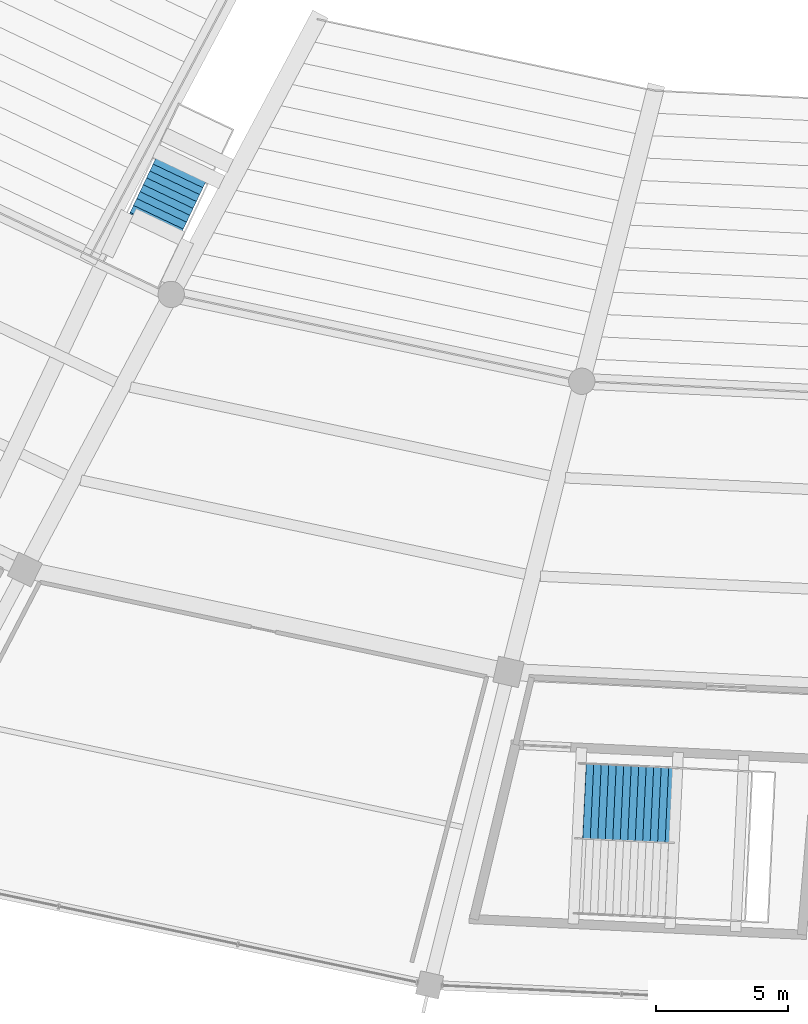
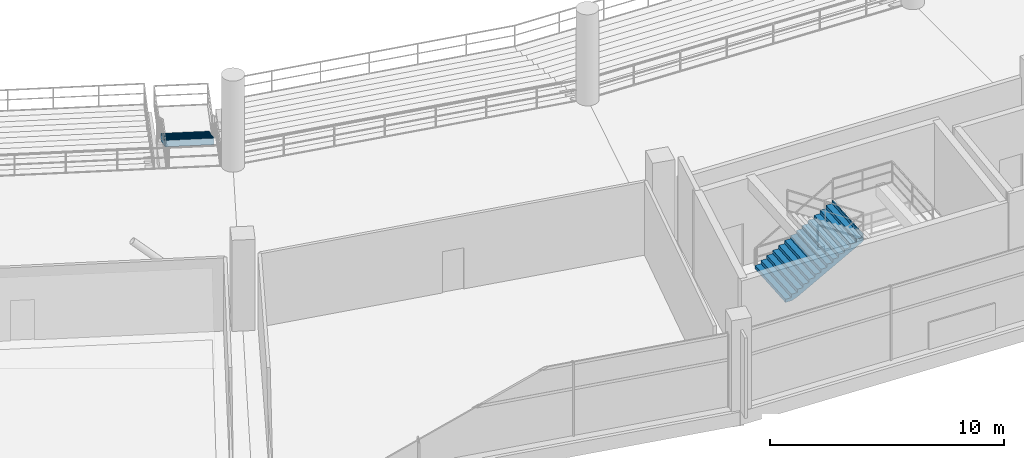
# One storey, part 121 of 156: 2 stair flights, 2 elements without a shape of their own.
"""IFC4 building model written with IfcOpenShell, lengths in metres."""

from ifc_helpers import new_model, si_unit, direction, frame, origin, place, context, subcontext, project, spatial, polygons, material, type_object, element, aggregate, save


model = new_model("IFC4")

# Units and contexts
model_context = context("Model", 3, precision=1e-05, world=origin(), true_north=direction((0.0, 1.0)))
body_context = subcontext(model_context, "Body", "Model", "MODEL_VIEW")
ifc_project = project(units=[si_unit("LENGTHUNIT", "METRE"), si_unit("AREAUNIT", "SQUARE_METRE"), si_unit("VOLUMEUNIT", "CUBIC_METRE"), si_unit("PLANEANGLEUNIT", "RADIAN"), si_unit("MASSUNIT", "GRAM", prefix="KILO")], contexts=[model_context])

# Site, building, storey
site_placement = place(None, origin())
site = spatial("IfcSite", under=ifc_project, at=site_placement, CompositionType="ELEMENT")
building_placement = place(site_placement, origin())
building = spatial("IfcBuilding", under=site, at=building_placement, Name="Kazemori Nagisa Stadium", CompositionType="ELEMENT")
storey_placement = place(building_placement, frame((0.0, 0.0, 5.780029296875)))
storey = spatial("IfcBuildingStorey", under=building, at=storey_placement, Name="L01", CompositionType="ELEMENT", Elevation=5.780029296875)

# Stair, stair flight
ifc_material = material(Name="Concrete C36/45 (Fc36)", Category="concrete")
stair_type_1 = type_object("IfcStairType", Name="Stair_CORE_28", PredefinedType="TWO_STRAIGHT_RUN_STAIR", material=ifc_material)
stair_1_placement = place(storey_placement, origin())
stair_1 = element("IfcStair", 1, at=stair_1_placement, inside=storey, type_object=stair_type_1, Name="Exit stair ST12 L01", PredefinedType="TWO_STRAIGHT_RUN_STAIR")
stair_flight_type_1 = type_object("IfcStairFlightType", Name="Flight_CORE_14", PredefinedType="STRAIGHT", material=ifc_material)
stair_flight_1_placement = place(storey_placement, frame((107.177490234375, 24.015380859375, 0.0), z_axis=(0.0, 0.0, 1.0), x_axis=(0.998883292929, -0.047245815755, 0.0)))
stair_flight_1 = element("IfcStairFlight", 2, at=stair_flight_1_placement, type_object=stair_flight_type_1, Name="Exit stair ST12 L01 flight 1", NumberOfRisers=14, NumberOfTreads=13, PredefinedType="STRAIGHT", RiserHeight=0.17, TreadLength=0.285, context=body_context, shape_type="Tessellation", body=[
    polygons([(0.0, -1.425048828125, 0.0), (0.0, -1.425048828125, 0.169921875), (0.284912109375, -1.425048828125, 0.169921875), (0.284912109375, -1.425048828125, 0.340087890625), (0.570068359375, -1.425048828125, 0.340087890625), (0.570068359375, -1.425048828125, 0.510009765625), (0.85498046875, -1.425048828125, 0.510009765625), (0.85498046875, -1.425048828125, 0.679931640625), (1.139892578125, -1.425048828125, 0.679931640625), (1.139892578125, -1.425048828125, 0.85009765625), (1.425048828125, -1.425048828125, 0.85009765625), (1.425048828125, -1.425048828125, 1.02001953125), (1.7099609375, -1.425048828125, 1.02001953125), (1.7099609375, -1.425048828125, 1.18994140625), (1.9951171875, -1.425048828125, 1.18994140625), (1.9951171875, -1.425048828125, 1.360107421875), (2.280029296875, -1.425048828125, 1.360107421875), (2.280029296875, -1.425048828125, 1.530029296875), (2.56494140625, -1.425048828125, 1.530029296875), (2.56494140625, -1.425048828125, 1.699951171875), (2.85009765625, -1.425048828125, 1.699951171875), (2.85009765625, -1.425048828125, 1.8701171875), (3.135009765625, -1.425048828125, 1.8701171875), (3.135009765625, -1.425048828125, 2.0400390625), (3.419921875, -1.425048828125, 2.0400390625), (3.419921875, -1.425048828125, 2.2099609375), (3.705078125, -1.425048828125, 2.2099609375), (3.705078125, -1.425048828125, 2.3798828125), (3.7548828125, -1.425048828125, 2.3798828125), (3.7548828125, -1.425048828125, 2.007080078125), (3.705078125, -1.425048828125, 1.977294921875), (3.419921875, -1.425048828125, 1.80712890625), (3.135009765625, -1.425048828125, 1.63720703125), (2.85009765625, -1.425048828125, 1.46728515625), (2.56494140625, -1.425048828125, 1.297119140625), (2.280029296875, -1.425048828125, 1.127197265625), (1.9951171875, -1.425048828125, 0.957275390625), (1.7099609375, -1.425048828125, 0.787109375), (1.425048828125, -1.425048828125, 0.6171875), (1.139892578125, -1.425048828125, 0.447265625), (0.85498046875, -1.425048828125, 0.277099609375), (0.570068359375, -1.425048828125, 0.107177734375), (0.284912109375, -1.425048828125, 0.0), (0.0, -0.08544921875, 0.0), (0.0, -0.08544921875, 0.169921875), (0.284912109375, -0.08544921875, 0.169921875), (0.284912109375, -0.08544921875, 0.340087890625), (0.570068359375, -0.08544921875, 0.340087890625), (0.570068359375, -0.08544921875, 0.510009765625), (0.85498046875, -0.08544921875, 0.510009765625), (0.85498046875, -0.08544921875, 0.679931640625), (1.139892578125, -0.08544921875, 0.679931640625), (1.139892578125, -0.08544921875, 0.85009765625), (1.425048828125, -0.08544921875, 0.85009765625), (1.425048828125, -0.08544921875, 1.02001953125), (1.7099609375, -0.08544921875, 1.02001953125), (1.7099609375, -0.08544921875, 1.18994140625), (1.9951171875, -0.08544921875, 1.18994140625), (1.9951171875, -0.08544921875, 1.360107421875), (2.280029296875, -0.08544921875, 1.360107421875), (2.280029296875, -0.08544921875, 1.530029296875), (2.56494140625, -0.08544921875, 1.530029296875), (2.56494140625, -0.08544921875, 1.699951171875), (2.85009765625, -0.08544921875, 1.699951171875), (2.85009765625, -0.08544921875, 1.8701171875), (3.135009765625, -0.08544921875, 1.8701171875), (3.135009765625, -0.08544921875, 2.0400390625), (3.419921875, -0.08544921875, 2.0400390625), (3.419921875, -0.08544921875, 2.2099609375), (3.705078125, -0.08544921875, 2.2099609375), (3.705078125, -0.08544921875, 2.3798828125), (3.7548828125, -0.08544921875, 2.3798828125), (3.7548828125, -0.08544921875, 2.007080078125), (3.705078125, -0.08544921875, 1.977294921875), (3.419921875, -0.08544921875, 1.80712890625), (3.135009765625, -0.08544921875, 1.63720703125), (2.85009765625, -0.08544921875, 1.46728515625), (2.56494140625, -0.08544921875, 1.297119140625), (2.280029296875, -0.08544921875, 1.127197265625), (1.9951171875, -0.08544921875, 0.957275390625), (1.7099609375, -0.08544921875, 0.787109375), (1.425048828125, -0.08544921875, 0.6171875), (1.139892578125, -0.08544921875, 0.447265625), (0.85498046875, -0.08544921875, 0.277099609375), (0.570068359375, -0.08544921875, 0.107177734375), (0.284912109375, -0.08544921875, 0.0), (0.0, 0.0, 0.0), (0.0, 0.0, 0.169921875), (0.284912109375, 0.0, 0.169921875), (0.284912109375, 0.0, 0.340087890625), (0.570068359375, 0.0, 0.340087890625), (0.570068359375, 0.0, 0.510009765625), (0.85498046875, 0.0, 0.510009765625), (0.85498046875, 0.0, 0.679931640625), (1.139892578125, 0.0, 0.679931640625), (1.139892578125, 0.0, 0.85009765625), (1.425048828125, 0.0, 0.85009765625), (1.425048828125, 0.0, 1.02001953125), (1.7099609375, 0.0, 1.02001953125), (1.7099609375, 0.0, 1.18994140625), (1.9951171875, 0.0, 1.18994140625), (1.9951171875, 0.0, 1.360107421875), (2.280029296875, 0.0, 1.360107421875), (2.280029296875, 0.0, 1.530029296875), (2.56494140625, 0.0, 1.530029296875), (2.56494140625, 0.0, 1.699951171875), (2.85009765625, 0.0, 1.699951171875), (2.85009765625, 0.0, 1.8701171875), (3.135009765625, 0.0, 1.8701171875), (3.135009765625, 0.0, 2.0400390625), (3.419921875, 0.0, 2.0400390625), (3.419921875, 0.0, 2.2099609375), (3.705078125, 0.0, 2.2099609375), (3.705078125, 0.0, 2.3798828125), (3.7548828125, 0.0, 2.3798828125), (3.7548828125, 0.0, 2.007080078125), (3.705078125, 0.0, 1.977294921875), (3.419921875, 0.0, 1.80712890625), (3.135009765625, 0.0, 1.63720703125), (2.85009765625, 0.0, 1.46728515625), (2.56494140625, 0.0, 1.297119140625), (2.280029296875, 0.0, 1.127197265625), (1.9951171875, 0.0, 0.957275390625), (1.7099609375, 0.0, 0.787109375), (1.425048828125, 0.0, 0.6171875), (1.139892578125, 0.0, 0.447265625), (0.85498046875, 0.0, 0.277099609375), (0.570068359375, 0.0, 0.107177734375), (0.284912109375, 0.0, 0.0), (0.0, 0.08544921875, 0.0), (0.0, 0.08544921875, 0.169921875), (0.284912109375, 0.08544921875, 0.169921875), (0.284912109375, 0.08544921875, 0.340087890625), (0.570068359375, 0.08544921875, 0.340087890625), (0.570068359375, 0.08544921875, 0.510009765625), (0.85498046875, 0.08544921875, 0.510009765625), (0.85498046875, 0.08544921875, 0.679931640625), (1.139892578125, 0.08544921875, 0.679931640625), (1.139892578125, 0.08544921875, 0.85009765625), (1.425048828125, 0.08544921875, 0.85009765625), (1.425048828125, 0.08544921875, 1.02001953125), (1.7099609375, 0.08544921875, 1.02001953125), (1.7099609375, 0.08544921875, 1.18994140625), (1.9951171875, 0.08544921875, 1.18994140625), (1.9951171875, 0.08544921875, 1.360107421875), (2.280029296875, 0.08544921875, 1.360107421875), (2.280029296875, 0.08544921875, 1.530029296875), (2.56494140625, 0.08544921875, 1.530029296875), (2.56494140625, 0.08544921875, 1.699951171875), (2.85009765625, 0.08544921875, 1.699951171875), (2.85009765625, 0.08544921875, 1.8701171875), (3.135009765625, 0.08544921875, 1.8701171875), (3.135009765625, 0.08544921875, 2.0400390625), (3.419921875, 0.08544921875, 2.0400390625), (3.419921875, 0.08544921875, 2.2099609375), (3.705078125, 0.08544921875, 2.2099609375), (3.705078125, 0.08544921875, 2.3798828125), (3.7548828125, 0.08544921875, 2.3798828125), (3.7548828125, 0.08544921875, 2.007080078125), (3.705078125, 0.08544921875, 1.977294921875), (3.419921875, 0.08544921875, 1.80712890625), (3.135009765625, 0.08544921875, 1.63720703125), (2.85009765625, 0.08544921875, 1.46728515625), (2.56494140625, 0.08544921875, 1.297119140625), (2.280029296875, 0.08544921875, 1.127197265625), (1.9951171875, 0.08544921875, 0.957275390625), (1.7099609375, 0.08544921875, 0.787109375), (1.425048828125, 0.08544921875, 0.6171875), (1.139892578125, 0.08544921875, 0.447265625), (0.85498046875, 0.08544921875, 0.277099609375), (0.570068359375, 0.08544921875, 0.107177734375), (0.284912109375, 0.08544921875, 0.0), (0.0, 1.425048828125, 0.0), (0.0, 1.425048828125, 0.169921875), (0.284912109375, 1.425048828125, 0.169921875), (0.284912109375, 1.425048828125, 0.340087890625), (0.570068359375, 1.425048828125, 0.340087890625), (0.570068359375, 1.425048828125, 0.510009765625), (0.85498046875, 1.425048828125, 0.510009765625), (0.85498046875, 1.425048828125, 0.679931640625), (1.139892578125, 1.425048828125, 0.679931640625), (1.139892578125, 1.425048828125, 0.85009765625), (1.425048828125, 1.425048828125, 0.85009765625), (1.425048828125, 1.425048828125, 1.02001953125), (1.7099609375, 1.425048828125, 1.02001953125), (1.7099609375, 1.425048828125, 1.18994140625), (1.9951171875, 1.425048828125, 1.18994140625), (1.9951171875, 1.425048828125, 1.360107421875), (2.280029296875, 1.425048828125, 1.360107421875), (2.280029296875, 1.425048828125, 1.530029296875), (2.56494140625, 1.425048828125, 1.530029296875), (2.56494140625, 1.425048828125, 1.699951171875), (2.85009765625, 1.425048828125, 1.699951171875), (2.85009765625, 1.425048828125, 1.8701171875), (3.135009765625, 1.425048828125, 1.8701171875), (3.135009765625, 1.425048828125, 2.0400390625), (3.419921875, 1.425048828125, 2.0400390625), (3.419921875, 1.425048828125, 2.2099609375), (3.705078125, 1.425048828125, 2.2099609375), (3.705078125, 1.425048828125, 2.3798828125), (3.7548828125, 1.425048828125, 2.3798828125), (3.7548828125, 1.425048828125, 2.007080078125), (3.705078125, 1.425048828125, 1.977294921875), (3.419921875, 1.425048828125, 1.80712890625), (3.135009765625, 1.425048828125, 1.63720703125), (2.85009765625, 1.425048828125, 1.46728515625), (2.56494140625, 1.425048828125, 1.297119140625), (2.280029296875, 1.425048828125, 1.127197265625), (1.9951171875, 1.425048828125, 0.957275390625), (1.7099609375, 1.425048828125, 0.787109375), (1.425048828125, 1.425048828125, 0.6171875), (1.139892578125, 1.425048828125, 0.447265625), (0.85498046875, 1.425048828125, 0.277099609375), (0.570068359375, 1.425048828125, 0.107177734375), (0.284912109375, 1.425048828125, 0.0)], [[[1, 2, 45]], [[1, 45, 44]], [[2, 3, 46]], [[2, 46, 45]], [[3, 4, 47]], [[3, 47, 46]], [[4, 5, 48]], [[4, 48, 47]], [[5, 6, 49]], [[5, 49, 48]], [[6, 7, 50]], [[6, 50, 49]], [[7, 8, 51]], [[7, 51, 50]], [[8, 9, 52]], [[8, 52, 51]], [[9, 10, 53]], [[9, 53, 52]], [[10, 11, 54]], [[10, 54, 53]], [[11, 12, 55]], [[11, 55, 54]], [[12, 13, 56]], [[12, 56, 55]], [[13, 14, 57]], [[13, 57, 56]], [[14, 15, 58]], [[14, 58, 57]], [[15, 16, 59]], [[15, 59, 58]], [[16, 17, 60]], [[16, 60, 59]], [[17, 18, 61]], [[17, 61, 60]], [[18, 19, 62]], [[18, 62, 61]], [[19, 20, 63]], [[19, 63, 62]], [[20, 21, 64]], [[20, 64, 63]], [[21, 22, 65]], [[21, 65, 64]], [[22, 23, 66]], [[22, 66, 65]], [[23, 24, 67]], [[23, 67, 66]], [[24, 25, 68]], [[24, 68, 67]], [[25, 26, 69]], [[25, 69, 68]], [[26, 27, 70]], [[26, 70, 69]], [[27, 28, 71]], [[27, 71, 70]], [[28, 29, 72]], [[28, 72, 71]], [[29, 30, 73]], [[29, 73, 72]], [[30, 31, 74]], [[30, 74, 73]], [[31, 32, 75]], [[31, 75, 74]], [[32, 33, 76]], [[32, 76, 75]], [[33, 34, 77]], [[33, 77, 76]], [[34, 35, 78]], [[34, 78, 77]], [[35, 36, 79]], [[35, 79, 78]], [[36, 37, 80]], [[36, 80, 79]], [[37, 38, 81]], [[37, 81, 80]], [[38, 39, 82]], [[38, 82, 81]], [[39, 40, 83]], [[39, 83, 82]], [[40, 41, 84]], [[40, 84, 83]], [[41, 42, 85]], [[41, 85, 84]], [[42, 43, 86]], [[42, 86, 85]], [[43, 1, 44]], [[43, 44, 86]], [[44, 45, 88]], [[44, 88, 87]], [[45, 46, 89]], [[45, 89, 88]], [[46, 47, 90]], [[46, 90, 89]], [[47, 48, 91]], [[47, 91, 90]], [[48, 49, 92]], [[48, 92, 91]], [[49, 50, 93]], [[49, 93, 92]], [[50, 51, 94]], [[50, 94, 93]], [[51, 52, 95]], [[51, 95, 94]], [[52, 53, 96]], [[52, 96, 95]], [[53, 54, 97]], [[53, 97, 96]], [[54, 55, 98]], [[54, 98, 97]], [[55, 56, 99]], [[55, 99, 98]], [[56, 57, 100]], [[56, 100, 99]], [[57, 58, 101]], [[57, 101, 100]], [[58, 59, 102]], [[58, 102, 101]], [[59, 60, 103]], [[59, 103, 102]], [[60, 61, 104]], [[60, 104, 103]], [[61, 62, 105]], [[61, 105, 104]], [[62, 63, 106]], [[62, 106, 105]], [[63, 64, 107]], [[63, 107, 106]], [[64, 65, 108]], [[64, 108, 107]], [[65, 66, 109]], [[65, 109, 108]], [[66, 67, 110]], [[66, 110, 109]], [[67, 68, 111]], [[67, 111, 110]], [[68, 69, 112]], [[68, 112, 111]], [[69, 70, 113]], [[69, 113, 112]], [[70, 71, 114]], [[70, 114, 113]], [[71, 72, 115]], [[71, 115, 114]], [[72, 73, 116]], [[72, 116, 115]], [[73, 74, 117]], [[73, 117, 116]], [[74, 75, 118]], [[74, 118, 117]], [[75, 76, 119]], [[75, 119, 118]], [[76, 77, 120]], [[76, 120, 119]], [[77, 78, 121]], [[77, 121, 120]], [[78, 79, 122]], [[78, 122, 121]], [[79, 80, 123]], [[79, 123, 122]], [[80, 81, 124]], [[80, 124, 123]], [[81, 82, 125]], [[81, 125, 124]], [[82, 83, 126]], [[82, 126, 125]], [[83, 84, 127]], [[83, 127, 126]], [[84, 85, 128]], [[84, 128, 127]], [[85, 86, 129]], [[85, 129, 128]], [[86, 44, 87]], [[86, 87, 129]], [[87, 88, 131]], [[87, 131, 130]], [[88, 89, 132]], [[88, 132, 131]], [[89, 90, 133]], [[89, 133, 132]], [[90, 91, 134]], [[90, 134, 133]], [[91, 92, 135]], [[91, 135, 134]], [[92, 93, 136]], [[92, 136, 135]], [[93, 94, 137]], [[93, 137, 136]], [[94, 95, 138]], [[94, 138, 137]], [[95, 96, 139]], [[95, 139, 138]], [[96, 97, 140]], [[96, 140, 139]], [[97, 98, 141]], [[97, 141, 140]], [[98, 99, 142]], [[98, 142, 141]], [[99, 100, 143]], [[99, 143, 142]], [[100, 101, 144]], [[100, 144, 143]], [[101, 102, 145]], [[101, 145, 144]], [[102, 103, 146]], [[102, 146, 145]], [[103, 104, 147]], [[103, 147, 146]], [[104, 105, 148]], [[104, 148, 147]], [[105, 106, 149]], [[105, 149, 148]], [[106, 107, 150]], [[106, 150, 149]], [[107, 108, 151]], [[107, 151, 150]], [[108, 109, 152]], [[108, 152, 151]], [[109, 110, 153]], [[109, 153, 152]], [[110, 111, 154]], [[110, 154, 153]], [[111, 112, 155]], [[111, 155, 154]], [[112, 113, 156]], [[112, 156, 155]], [[113, 114, 157]], [[113, 157, 156]], [[114, 115, 158]], [[114, 158, 157]], [[115, 116, 159]], [[115, 159, 158]], [[116, 117, 160]], [[116, 160, 159]], [[117, 118, 161]], [[117, 161, 160]], [[118, 119, 162]], [[118, 162, 161]], [[119, 120, 163]], [[119, 163, 162]], [[120, 121, 164]], [[120, 164, 163]], [[121, 122, 165]], [[121, 165, 164]], [[122, 123, 166]], [[122, 166, 165]], [[123, 124, 167]], [[123, 167, 166]], [[124, 125, 168]], [[124, 168, 167]], [[125, 126, 169]], [[125, 169, 168]], [[126, 127, 170]], [[126, 170, 169]], [[127, 128, 171]], [[127, 171, 170]], [[128, 129, 172]], [[128, 172, 171]], [[129, 87, 130]], [[129, 130, 172]], [[130, 131, 174]], [[130, 174, 173]], [[131, 132, 175]], [[131, 175, 174]], [[132, 133, 176]], [[132, 176, 175]], [[133, 134, 177]], [[133, 177, 176]], [[134, 135, 178]], [[134, 178, 177]], [[135, 136, 179]], [[135, 179, 178]], [[136, 137, 180]], [[136, 180, 179]], [[137, 138, 181]], [[137, 181, 180]], [[138, 139, 182]], [[138, 182, 181]], [[139, 140, 183]], [[139, 183, 182]], [[140, 141, 184]], [[140, 184, 183]], [[141, 142, 185]], [[141, 185, 184]], [[142, 143, 186]], [[142, 186, 185]], [[143, 144, 187]], [[143, 187, 186]], [[144, 145, 188]], [[144, 188, 187]], [[145, 146, 189]], [[145, 189, 188]], [[146, 147, 190]], [[146, 190, 189]], [[147, 148, 191]], [[147, 191, 190]], [[148, 149, 192]], [[148, 192, 191]], [[149, 150, 193]], [[149, 193, 192]], [[150, 151, 194]], [[150, 194, 193]], [[151, 152, 195]], [[151, 195, 194]], [[152, 153, 196]], [[152, 196, 195]], [[153, 154, 197]], [[153, 197, 196]], [[154, 155, 198]], [[154, 198, 197]], [[155, 156, 199]], [[155, 199, 198]], [[156, 157, 200]], [[156, 200, 199]], [[157, 158, 201]], [[157, 201, 200]], [[158, 159, 202]], [[158, 202, 201]], [[159, 160, 203]], [[159, 203, 202]], [[160, 161, 204]], [[160, 204, 203]], [[161, 162, 205]], [[161, 205, 204]], [[162, 163, 206]], [[162, 206, 205]], [[163, 164, 207]], [[163, 207, 206]], [[164, 165, 208]], [[164, 208, 207]], [[165, 166, 209]], [[165, 209, 208]], [[166, 167, 210]], [[166, 210, 209]], [[167, 168, 211]], [[167, 211, 210]], [[168, 169, 212]], [[168, 212, 211]], [[169, 170, 213]], [[169, 213, 212]], [[170, 171, 214]], [[170, 214, 213]], [[171, 172, 215]], [[171, 215, 214]], [[172, 130, 173]], [[172, 173, 215]], [[3, 2, 1]], [[173, 174, 175]], [[43, 3, 1]], [[173, 175, 215]], [[42, 3, 43]], [[215, 175, 214]], [[5, 3, 42]], [[214, 175, 177]], [[5, 4, 3]], [[175, 176, 177]], [[41, 5, 42]], [[214, 177, 213]], [[7, 5, 41]], [[213, 177, 179]], [[7, 6, 5]], [[177, 178, 179]], [[40, 7, 41]], [[213, 179, 212]], [[9, 7, 40]], [[212, 179, 181]], [[9, 8, 7]], [[179, 180, 181]], [[39, 9, 40]], [[212, 181, 211]], [[11, 9, 39]], [[211, 181, 183]], [[11, 10, 9]], [[181, 182, 183]], [[38, 11, 39]], [[211, 183, 210]], [[13, 11, 38]], [[210, 183, 185]], [[13, 12, 11]], [[183, 184, 185]], [[37, 13, 38]], [[210, 185, 209]], [[15, 13, 37]], [[209, 185, 187]], [[15, 14, 13]], [[185, 186, 187]], [[36, 15, 37]], [[209, 187, 208]], [[17, 15, 36]], [[208, 187, 189]], [[17, 16, 15]], [[187, 188, 189]], [[35, 17, 36]], [[208, 189, 207]], [[19, 17, 35]], [[207, 189, 191]], [[19, 18, 17]], [[189, 190, 191]], [[34, 19, 35]], [[207, 191, 206]], [[21, 19, 34]], [[206, 191, 193]], [[21, 20, 19]], [[191, 192, 193]], [[33, 21, 34]], [[206, 193, 205]], [[23, 21, 33]], [[205, 193, 195]], [[23, 22, 21]], [[193, 194, 195]], [[32, 23, 33]], [[205, 195, 204]], [[25, 23, 32]], [[204, 195, 197]], [[25, 24, 23]], [[195, 196, 197]], [[31, 25, 32]], [[204, 197, 203]], [[27, 25, 31]], [[203, 197, 199]], [[27, 26, 25]], [[197, 198, 199]], [[30, 27, 31]], [[203, 199, 202]], [[29, 27, 30]], [[202, 199, 201]], [[29, 28, 27]], [[199, 200, 201]]], closed=True),
])
aggregate(stair_1, [stair_flight_1])

stair_type_2 = type_object("IfcStairType", Name="Stair_VOM_VL", PredefinedType="STRAIGHT_RUN_STAIR", material=ifc_material)
stair_2_placement = place(storey_placement, origin())
stair_2 = element("IfcStair", 3, at=stair_2_placement, inside=storey, type_object=stair_type_2, Name="Vomitory stair lower VL08", PredefinedType="STRAIGHT_RUN_STAIR")
stair_flight_type_2 = type_object("IfcStairFlightType", Name="Flight_VOM_VL", PredefinedType="STRAIGHT", material=ifc_material)
stair_flight_2_placement = place(storey_placement, frame((92.135498046875, 48.028076171875, -1.43994140625), z_axis=(0.0, 0.0, 1.0), x_axis=(-0.429149114486, -0.903233656113, 0.0)))
stair_flight_2 = element("IfcStairFlight", 4, at=stair_flight_2_placement, type_object=stair_flight_type_2, Name="Vomitory stair lower VL08 flight", NumberOfRisers=9, NumberOfTreads=8, PredefinedType="STRAIGHT", RiserHeight=0.16, TreadLength=0.29, context=body_context, shape_type="Tessellation", body=[
    polygons([(0.0, -1.050048828125, 0.0), (0.0, -1.050048828125, 0.159912109375), (0.2900390625, -1.050048828125, 0.159912109375), (0.2900390625, -1.050048828125, 0.320068359375), (0.580078125, -1.050048828125, 0.320068359375), (0.580078125, -1.050048828125, 0.47998046875), (0.8701171875, -1.050048828125, 0.47998046875), (0.8701171875, -1.050048828125, 0.639892578125), (1.159912109375, -1.050048828125, 0.639892578125), (1.159912109375, -1.050048828125, 0.800048828125), (1.449951171875, -1.050048828125, 0.800048828125), (1.449951171875, -1.050048828125, 0.9599609375), (1.739990234375, -1.050048828125, 0.9599609375), (1.739990234375, -1.050048828125, 1.1201171875), (2.030029296875, -1.050048828125, 1.1201171875), (2.030029296875, -1.050048828125, 1.280029296875), (2.320068359375, -1.050048828125, 1.280029296875), (2.320068359375, -1.050048828125, 1.43994140625), (2.3701171875, -1.050048828125, 1.43994140625), (2.3701171875, -1.050048828125, 1.10205078125), (2.320068359375, -1.050048828125, 1.074462890625), (2.030029296875, -1.050048828125, 0.91455078125), (1.739990234375, -1.050048828125, 0.75439453125), (1.449951171875, -1.050048828125, 0.594482421875), (1.159912109375, -1.050048828125, 0.4345703125), (0.8701171875, -1.050048828125, 0.2744140625), (0.580078125, -1.050048828125, 0.114501953125), (0.2900390625, -1.050048828125, 0.0), (0.0, -0.06298828125, 0.0), (0.0, -0.06298828125, 0.159912109375), (0.2900390625, -0.06298828125, 0.159912109375), (0.2900390625, -0.06298828125, 0.320068359375), (0.580078125, -0.06298828125, 0.320068359375), (0.580078125, -0.06298828125, 0.47998046875), (0.8701171875, -0.06298828125, 0.47998046875), (0.8701171875, -0.06298828125, 0.639892578125), (1.159912109375, -0.06298828125, 0.639892578125), (1.159912109375, -0.06298828125, 0.800048828125), (1.449951171875, -0.06298828125, 0.800048828125), (1.449951171875, -0.06298828125, 0.9599609375), (1.739990234375, -0.06298828125, 0.9599609375), (1.739990234375, -0.06298828125, 1.1201171875), (2.030029296875, -0.06298828125, 1.1201171875), (2.030029296875, -0.06298828125, 1.280029296875), (2.320068359375, -0.06298828125, 1.280029296875), (2.320068359375, -0.06298828125, 1.43994140625), (2.3701171875, -0.06298828125, 1.43994140625), (2.3701171875, -0.06298828125, 1.10205078125), (2.320068359375, -0.06298828125, 1.074462890625), (2.030029296875, -0.06298828125, 0.91455078125), (1.739990234375, -0.06298828125, 0.75439453125), (1.449951171875, -0.06298828125, 0.594482421875), (1.159912109375, -0.06298828125, 0.4345703125), (0.8701171875, -0.06298828125, 0.2744140625), (0.580078125, -0.06298828125, 0.114501953125), (0.2900390625, -0.06298828125, 0.0), (0.0, 0.0, 0.0), (0.0, 0.0, 0.159912109375), (0.2900390625, 0.0, 0.159912109375), (0.2900390625, 0.0, 0.320068359375), (0.580078125, 0.0, 0.320068359375), (0.580078125, 0.0, 0.47998046875), (0.8701171875, 0.0, 0.47998046875), (0.8701171875, 0.0, 0.639892578125), (1.159912109375, 0.0, 0.639892578125), (1.159912109375, 0.0, 0.800048828125), (1.449951171875, 0.0, 0.800048828125), (1.449951171875, 0.0, 0.9599609375), (1.739990234375, 0.0, 0.9599609375), (1.739990234375, 0.0, 1.1201171875), (2.030029296875, 0.0, 1.1201171875), (2.030029296875, 0.0, 1.280029296875), (2.320068359375, 0.0, 1.280029296875), (2.320068359375, 0.0, 1.43994140625), (2.3701171875, 0.0, 1.43994140625), (2.3701171875, 0.0, 1.10205078125), (2.320068359375, 0.0, 1.074462890625), (2.030029296875, 0.0, 0.91455078125), (1.739990234375, 0.0, 0.75439453125), (1.449951171875, 0.0, 0.594482421875), (1.159912109375, 0.0, 0.4345703125), (0.8701171875, 0.0, 0.2744140625), (0.580078125, 0.0, 0.114501953125), (0.2900390625, 0.0, 0.0), (0.0, 0.06298828125, 0.0), (0.0, 0.06298828125, 0.159912109375), (0.2900390625, 0.06298828125, 0.159912109375), (0.2900390625, 0.06298828125, 0.320068359375), (0.580078125, 0.06298828125, 0.320068359375), (0.580078125, 0.06298828125, 0.47998046875), (0.8701171875, 0.06298828125, 0.47998046875), (0.8701171875, 0.06298828125, 0.639892578125), (1.159912109375, 0.06298828125, 0.639892578125), (1.159912109375, 0.06298828125, 0.800048828125), (1.449951171875, 0.06298828125, 0.800048828125), (1.449951171875, 0.06298828125, 0.9599609375), (1.739990234375, 0.06298828125, 0.9599609375), (1.739990234375, 0.06298828125, 1.1201171875), (2.030029296875, 0.06298828125, 1.1201171875), (2.030029296875, 0.06298828125, 1.280029296875), (2.320068359375, 0.06298828125, 1.280029296875), (2.320068359375, 0.06298828125, 1.43994140625), (2.3701171875, 0.06298828125, 1.43994140625), (2.3701171875, 0.06298828125, 1.10205078125), (2.320068359375, 0.06298828125, 1.074462890625), (2.030029296875, 0.06298828125, 0.91455078125), (1.739990234375, 0.06298828125, 0.75439453125), (1.449951171875, 0.06298828125, 0.594482421875), (1.159912109375, 0.06298828125, 0.4345703125), (0.8701171875, 0.06298828125, 0.2744140625), (0.580078125, 0.06298828125, 0.114501953125), (0.2900390625, 0.06298828125, 0.0), (0.0, 1.050048828125, 0.0), (0.0, 1.050048828125, 0.159912109375), (0.2900390625, 1.050048828125, 0.159912109375), (0.2900390625, 1.050048828125, 0.320068359375), (0.580078125, 1.050048828125, 0.320068359375), (0.580078125, 1.050048828125, 0.47998046875), (0.8701171875, 1.050048828125, 0.47998046875), (0.8701171875, 1.050048828125, 0.639892578125), (1.159912109375, 1.050048828125, 0.639892578125), (1.159912109375, 1.050048828125, 0.800048828125), (1.449951171875, 1.050048828125, 0.800048828125), (1.449951171875, 1.050048828125, 0.9599609375), (1.739990234375, 1.050048828125, 0.9599609375), (1.739990234375, 1.050048828125, 1.1201171875), (2.030029296875, 1.050048828125, 1.1201171875), (2.030029296875, 1.050048828125, 1.280029296875), (2.320068359375, 1.050048828125, 1.280029296875), (2.320068359375, 1.050048828125, 1.43994140625), (2.3701171875, 1.050048828125, 1.43994140625), (2.3701171875, 1.050048828125, 1.10205078125), (2.320068359375, 1.050048828125, 1.074462890625), (2.030029296875, 1.050048828125, 0.91455078125), (1.739990234375, 1.050048828125, 0.75439453125), (1.449951171875, 1.050048828125, 0.594482421875), (1.159912109375, 1.050048828125, 0.4345703125), (0.8701171875, 1.050048828125, 0.2744140625), (0.580078125, 1.050048828125, 0.114501953125), (0.2900390625, 1.050048828125, 0.0)], [[[1, 2, 30]], [[1, 30, 29]], [[2, 3, 31]], [[2, 31, 30]], [[3, 4, 32]], [[3, 32, 31]], [[4, 5, 33]], [[4, 33, 32]], [[5, 6, 34]], [[5, 34, 33]], [[6, 7, 35]], [[6, 35, 34]], [[7, 8, 36]], [[7, 36, 35]], [[8, 9, 37]], [[8, 37, 36]], [[9, 10, 38]], [[9, 38, 37]], [[10, 11, 39]], [[10, 39, 38]], [[11, 12, 40]], [[11, 40, 39]], [[12, 13, 41]], [[12, 41, 40]], [[13, 14, 42]], [[13, 42, 41]], [[14, 15, 43]], [[14, 43, 42]], [[15, 16, 44]], [[15, 44, 43]], [[16, 17, 45]], [[16, 45, 44]], [[17, 18, 46]], [[17, 46, 45]], [[18, 19, 47]], [[18, 47, 46]], [[19, 20, 48]], [[19, 48, 47]], [[20, 21, 49]], [[20, 49, 48]], [[21, 22, 50]], [[21, 50, 49]], [[22, 23, 51]], [[22, 51, 50]], [[23, 24, 52]], [[23, 52, 51]], [[24, 25, 53]], [[24, 53, 52]], [[25, 26, 54]], [[25, 54, 53]], [[26, 27, 55]], [[26, 55, 54]], [[27, 28, 56]], [[27, 56, 55]], [[28, 1, 29]], [[28, 29, 56]], [[29, 30, 58]], [[29, 58, 57]], [[30, 31, 59]], [[30, 59, 58]], [[31, 32, 60]], [[31, 60, 59]], [[32, 33, 61]], [[32, 61, 60]], [[33, 34, 62]], [[33, 62, 61]], [[34, 35, 63]], [[34, 63, 62]], [[35, 36, 64]], [[35, 64, 63]], [[36, 37, 65]], [[36, 65, 64]], [[37, 38, 66]], [[37, 66, 65]], [[38, 39, 67]], [[38, 67, 66]], [[39, 40, 68]], [[39, 68, 67]], [[40, 41, 69]], [[40, 69, 68]], [[41, 42, 70]], [[41, 70, 69]], [[42, 43, 71]], [[42, 71, 70]], [[43, 44, 72]], [[43, 72, 71]], [[44, 45, 73]], [[44, 73, 72]], [[45, 46, 74]], [[45, 74, 73]], [[46, 47, 75]], [[46, 75, 74]], [[47, 48, 76]], [[47, 76, 75]], [[48, 49, 77]], [[48, 77, 76]], [[49, 50, 78]], [[49, 78, 77]], [[50, 51, 79]], [[50, 79, 78]], [[51, 52, 80]], [[51, 80, 79]], [[52, 53, 81]], [[52, 81, 80]], [[53, 54, 82]], [[53, 82, 81]], [[54, 55, 83]], [[54, 83, 82]], [[55, 56, 84]], [[55, 84, 83]], [[56, 29, 57]], [[56, 57, 84]], [[57, 58, 86]], [[57, 86, 85]], [[58, 59, 87]], [[58, 87, 86]], [[59, 60, 88]], [[59, 88, 87]], [[60, 61, 89]], [[60, 89, 88]], [[61, 62, 90]], [[61, 90, 89]], [[62, 63, 91]], [[62, 91, 90]], [[63, 64, 92]], [[63, 92, 91]], [[64, 65, 93]], [[64, 93, 92]], [[65, 66, 94]], [[65, 94, 93]], [[66, 67, 95]], [[66, 95, 94]], [[67, 68, 96]], [[67, 96, 95]], [[68, 69, 97]], [[68, 97, 96]], [[69, 70, 98]], [[69, 98, 97]], [[70, 71, 99]], [[70, 99, 98]], [[71, 72, 100]], [[71, 100, 99]], [[72, 73, 101]], [[72, 101, 100]], [[73, 74, 102]], [[73, 102, 101]], [[74, 75, 103]], [[74, 103, 102]], [[75, 76, 104]], [[75, 104, 103]], [[76, 77, 105]], [[76, 105, 104]], [[77, 78, 106]], [[77, 106, 105]], [[78, 79, 107]], [[78, 107, 106]], [[79, 80, 108]], [[79, 108, 107]], [[80, 81, 109]], [[80, 109, 108]], [[81, 82, 110]], [[81, 110, 109]], [[82, 83, 111]], [[82, 111, 110]], [[83, 84, 112]], [[83, 112, 111]], [[84, 57, 85]], [[84, 85, 112]], [[85, 86, 114]], [[85, 114, 113]], [[86, 87, 115]], [[86, 115, 114]], [[87, 88, 116]], [[87, 116, 115]], [[88, 89, 117]], [[88, 117, 116]], [[89, 90, 118]], [[89, 118, 117]], [[90, 91, 119]], [[90, 119, 118]], [[91, 92, 120]], [[91, 120, 119]], [[92, 93, 121]], [[92, 121, 120]], [[93, 94, 122]], [[93, 122, 121]], [[94, 95, 123]], [[94, 123, 122]], [[95, 96, 124]], [[95, 124, 123]], [[96, 97, 125]], [[96, 125, 124]], [[97, 98, 126]], [[97, 126, 125]], [[98, 99, 127]], [[98, 127, 126]], [[99, 100, 128]], [[99, 128, 127]], [[100, 101, 129]], [[100, 129, 128]], [[101, 102, 130]], [[101, 130, 129]], [[102, 103, 131]], [[102, 131, 130]], [[103, 104, 132]], [[103, 132, 131]], [[104, 105, 133]], [[104, 133, 132]], [[105, 106, 134]], [[105, 134, 133]], [[106, 107, 135]], [[106, 135, 134]], [[107, 108, 136]], [[107, 136, 135]], [[108, 109, 137]], [[108, 137, 136]], [[109, 110, 138]], [[109, 138, 137]], [[110, 111, 139]], [[110, 139, 138]], [[111, 112, 140]], [[111, 140, 139]], [[112, 85, 113]], [[112, 113, 140]], [[3, 2, 1]], [[113, 114, 115]], [[28, 3, 1]], [[113, 115, 140]], [[27, 3, 28]], [[140, 115, 139]], [[5, 3, 27]], [[139, 115, 117]], [[5, 4, 3]], [[115, 116, 117]], [[26, 5, 27]], [[139, 117, 138]], [[7, 5, 26]], [[138, 117, 119]], [[7, 6, 5]], [[117, 118, 119]], [[25, 7, 26]], [[138, 119, 137]], [[9, 7, 25]], [[137, 119, 121]], [[9, 8, 7]], [[119, 120, 121]], [[24, 9, 25]], [[137, 121, 136]], [[11, 9, 24]], [[136, 121, 123]], [[11, 10, 9]], [[121, 122, 123]], [[23, 11, 24]], [[136, 123, 135]], [[13, 11, 23]], [[135, 123, 125]], [[13, 12, 11]], [[123, 124, 125]], [[22, 13, 23]], [[135, 125, 134]], [[15, 13, 22]], [[134, 125, 127]], [[15, 14, 13]], [[125, 126, 127]], [[21, 15, 22]], [[134, 127, 133]], [[17, 15, 21]], [[133, 127, 129]], [[17, 16, 15]], [[127, 128, 129]], [[20, 17, 21]], [[133, 129, 132]], [[19, 17, 20]], [[132, 129, 131]], [[19, 18, 17]], [[129, 130, 131]]], closed=True),
])
aggregate(stair_2, [stair_flight_2])

save(model, "model.ifc")
